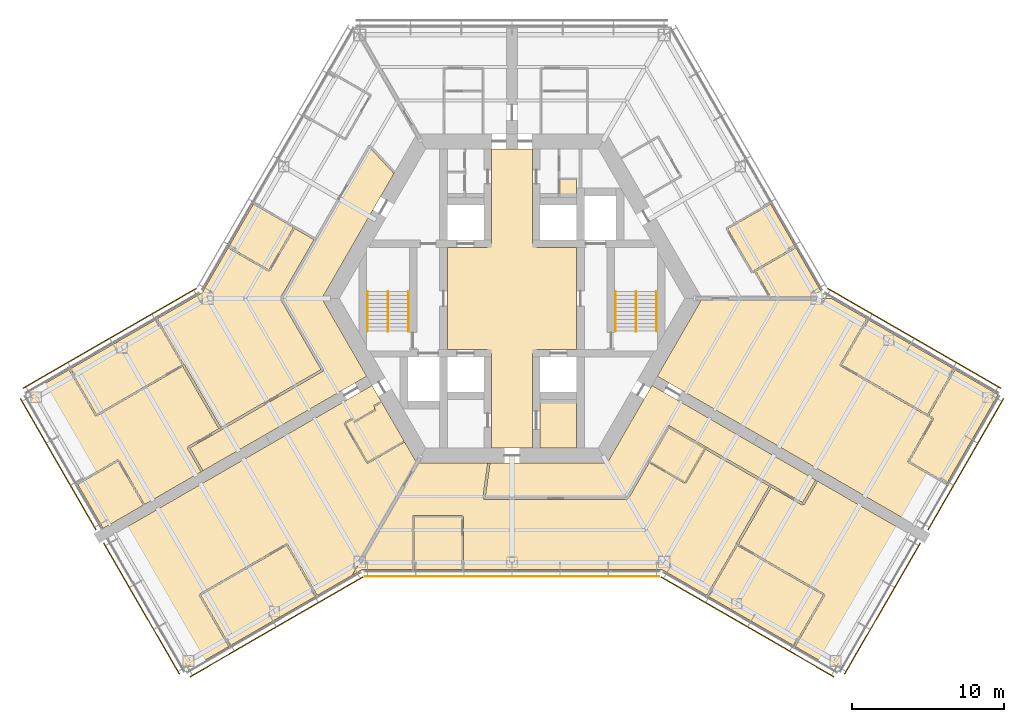
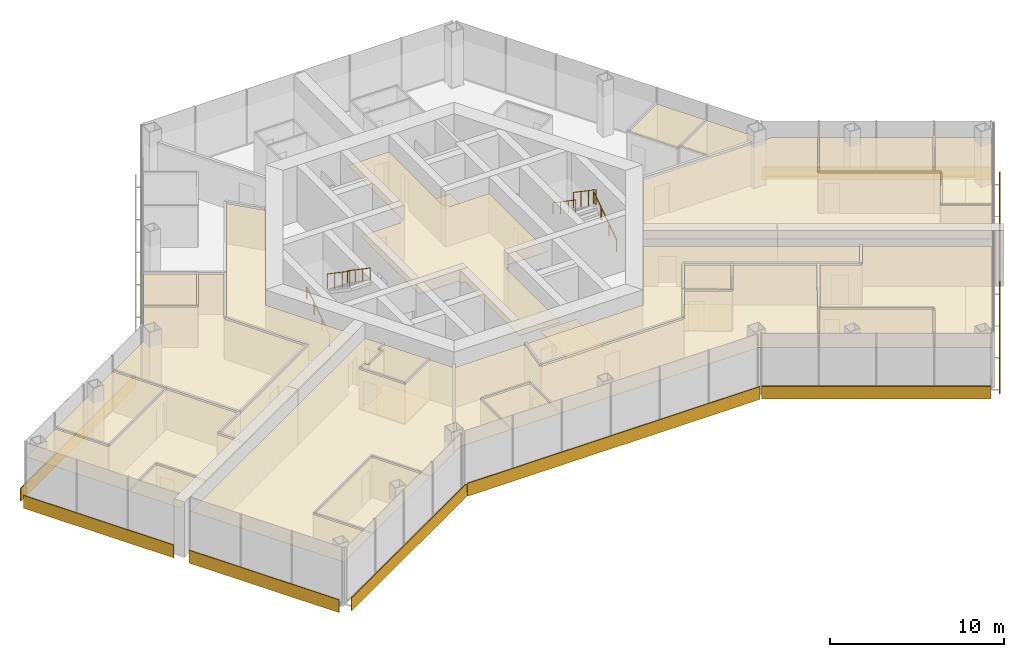
# One storey, part 17 of 18: 25 coverings, 9 shading devices, 6 railings.
"""IFC4 building model written with IfcOpenShell, lengths in metres."""

from ifc_helpers import new_model, si_unit, direction, frame, origin, origin_2d, place, context, subcontext, project, spatial, polyline, rectangle, circle, outline, extrude, material, layer, layer_set, type_object, element, save


model = new_model("IFC4")

# Units and contexts
model_context = context("Model", 3, precision=1e-05, world=origin(), true_north=direction((0.0, 1.0)))
body_context = subcontext(model_context, "Body", "Model", "MODEL_VIEW")
ifc_project = project(units=[si_unit("LENGTHUNIT", "METRE"), si_unit("AREAUNIT", "SQUARE_METRE"), si_unit("VOLUMEUNIT", "CUBIC_METRE"), si_unit("PLANEANGLEUNIT", "RADIAN"), si_unit("MASSUNIT", "GRAM", prefix="KILO")], contexts=[model_context])

# Site, building, storey
site_placement = place(None, origin())
site = spatial("IfcSite", under=ifc_project, at=site_placement, CompositionType="ELEMENT")
building_placement = place(site_placement, origin())
building = spatial("IfcBuilding", under=site, at=building_placement, Name="Kasaneha Research Tower", CompositionType="ELEMENT")
storey_placement = place(building_placement, frame((0.0, 0.0, 137.0)))
storey = spatial("IfcBuildingStorey", under=building, at=storey_placement, Name="L34", CompositionType="ELEMENT", Elevation=137.0)

# Covering
ifc_material_1 = material(Name="Aluminium panel ceiling", Category="aluminium")
ifc_layer_1 = layer(ifc_material_1, 0.0400390625)
ifc_layer_set_1 = layer_set([ifc_layer_1], Name="Lift lobby ceiling 40")
covering_type_1 = type_object("IfcCoveringType", Name="Lift lobby ceiling 40", PredefinedType="CEILING", material=ifc_layer_set_1)
covering_1_placement = place(storey_placement, frame((0.0, 0.0, 2.699951171875)))
element("IfcCovering", 1, at=covering_1_placement, inside=storey, type_object=covering_type_1, Name="Ceiling L34-01", PredefinedType="CEILING", context=body_context, shape_type="SweptSolid", body=[
    extrude(outline(polyline([(1.35009765625, 9.824951171875), (1.35009765625, 3.60009765625), (1.60009765625, 3.60009765625), (1.60009765625, 3.35009765625), (4.25, 3.35009765625), (4.25, -3.35009765625), (1.60009765625, -3.35009765625), (1.60009765625, -3.60009765625), (1.35009765625, -3.60009765625), (1.35009765625, -9.824951171875), (-1.35009765625, -9.824951171875), (-1.35009765625, -3.60009765625), (-1.60009765625, -3.60009765625), (-1.60009765625, -3.35009765625), (-4.25, -3.35009765625), (-4.25, 3.35009765625), (-1.60009765625, 3.35009765625), (-1.60009765625, 3.60009765625), (-1.35009765625, 3.60009765625), (-1.35009765625, 9.824951171875), (1.35009765625, 9.824951171875)])), origin(), (0.0, 0.0, 1.0), 0.0400390625),
])

# Railings
ifc_material_2 = material(Name="Steel", Category="steel")
railing_type_1 = type_object("IfcRailingType", Name="Stair balustrade 1100", PredefinedType="GUARDRAIL", material=ifc_material_2)
for number, where, name in (
    (2, (8.14990234375, 0.449951171875, 2.127197265625), "Stair 1 balustrade L34"),
    (3, (-8.14990234375, 0.449951171875, 2.127197265625), "Stair 2 balustrade L34"),
):
    element("IfcRailing", number, at=place(storey_placement, frame(where)), inside=storey, type_object=railing_type_1, Name=name, PredefinedType="GUARDRAIL", context=body_context, shape_type="SweptSolid", body=[
        extrude(circle(Radius=0.02392578125, at=origin_2d()), frame((0.0, 0.0, 1.076171875), z_axis=(0.0, -0.826215852431, 0.563353676824), x_axis=(1.0, 0.0, 0.0)), (0.0, 0.0, 1.0), 3.146728515625),
        extrude(circle(Radius=0.02099609375, at=origin_2d()), origin(), (0.0, 0.0, 1.0), 1.052001953125),
        extrude(circle(Radius=0.02099609375, at=origin_2d()), frame((0.0, -0.86669921875, 0.5908203125)), (0.0, 0.0, 1.0), 1.052001953125),
        extrude(circle(Radius=0.02099609375, at=origin_2d()), frame((0.0, -1.733154296875, 1.181884765625)), (0.0, 0.0, 1.0), 1.052001953125),
        extrude(circle(Radius=0.02099609375, at=origin_2d()), frame((0.0, -2.599853515625, 1.772705078125)), (0.0, 0.0, 1.0), 1.052001953125),
    ])
ifc_material_3 = material(Name="Steel", Category="steel")
railing_type_2 = type_object("IfcRailingType", Name="Stair handrail 850", PredefinedType="HANDRAIL", material=ifc_material_3)
railing_1_placement = place(storey_placement, frame((9.5, -2.14990234375, 0.17724609375)))
element("IfcRailing", 4, at=railing_1_placement, inside=storey, type_object=railing_type_2, Name="Stair 1 handrail L34", PredefinedType="HANDRAIL", context=body_context, shape_type="SweptSolid", body=[
    extrude(circle(Radius=0.02392578125, at=origin_2d()), frame((0.0, 0.0, 0.826171875), z_axis=(0.0, 0.826215852431, 0.563353676824), x_axis=(-1.0, 0.0, 0.0)), (0.0, 0.0, 1.0), 3.146728515625),
    extrude(circle(Radius=0.02099609375, at=origin_2d()), origin(), (0.0, 0.0, 1.0), 0.802001953125),
    extrude(circle(Radius=0.02099609375, at=origin_2d()), frame((0.0, 0.86669921875, 0.5908203125)), (0.0, 0.0, 1.0), 0.802001953125),
    extrude(circle(Radius=0.02099609375, at=origin_2d()), frame((0.0, 1.733154296875, 1.181884765625)), (0.0, 0.0, 1.0), 0.802001953125),
    extrude(circle(Radius=0.02099609375, at=origin_2d()), frame((0.0, 2.599853515625, 1.772705078125)), (0.0, 0.0, 1.0), 0.802001953125),
])
railing_2_placement = place(storey_placement, frame((6.800048828125, 0.449951171875, 2.127197265625)))
element("IfcRailing", 5, at=railing_2_placement, inside=storey, type_object=railing_type_2, Name="Stair 1 handrail L34", PredefinedType="HANDRAIL", context=body_context, shape_type="SweptSolid", body=[
    extrude(circle(Radius=0.02392578125, at=origin_2d()), frame((0.0, 0.0, 0.826171875), z_axis=(0.0, -0.826215852431, 0.563353676824), x_axis=(1.0, 0.0, 0.0)), (0.0, 0.0, 1.0), 3.146728515625),
    extrude(circle(Radius=0.02099609375, at=origin_2d()), origin(), (0.0, 0.0, 1.0), 0.802001953125),
    extrude(circle(Radius=0.02099609375, at=origin_2d()), frame((0.0, -0.86669921875, 0.5908203125)), (0.0, 0.0, 1.0), 0.802001953125),
    extrude(circle(Radius=0.02099609375, at=origin_2d()), frame((0.0, -1.733154296875, 1.181884765625)), (0.0, 0.0, 1.0), 0.802001953125),
    extrude(circle(Radius=0.02099609375, at=origin_2d()), frame((0.0, -2.599853515625, 1.772705078125)), (0.0, 0.0, 1.0), 0.802001953125),
])
railing_3_placement = place(storey_placement, frame((-9.5, -2.14990234375, 0.17724609375)))
element("IfcRailing", 6, at=railing_3_placement, inside=storey, type_object=railing_type_2, Name="Stair 2 handrail L34", PredefinedType="HANDRAIL", context=body_context, shape_type="SweptSolid", body=[
    extrude(circle(Radius=0.02392578125, at=origin_2d()), frame((0.0, 0.0, 0.826171875), z_axis=(0.0, 0.826215852431, 0.563353676824), x_axis=(-1.0, 0.0, 0.0)), (0.0, 0.0, 1.0), 3.146728515625),
    extrude(circle(Radius=0.02099609375, at=origin_2d()), origin(), (0.0, 0.0, 1.0), 0.802001953125),
    extrude(circle(Radius=0.02099609375, at=origin_2d()), frame((0.0, 0.86669921875, 0.5908203125)), (0.0, 0.0, 1.0), 0.802001953125),
    extrude(circle(Radius=0.02099609375, at=origin_2d()), frame((0.0, 1.733154296875, 1.181884765625)), (0.0, 0.0, 1.0), 0.802001953125),
    extrude(circle(Radius=0.02099609375, at=origin_2d()), frame((0.0, 2.599853515625, 1.772705078125)), (0.0, 0.0, 1.0), 0.802001953125),
])
railing_4_placement = place(storey_placement, frame((-6.800048828125, 0.449951171875, 2.127197265625)))
element("IfcRailing", 7, at=railing_4_placement, inside=storey, type_object=railing_type_2, Name="Stair 2 handrail L34", PredefinedType="HANDRAIL", context=body_context, shape_type="SweptSolid", body=[
    extrude(circle(Radius=0.02392578125, at=origin_2d()), frame((0.0, 0.0, 0.826171875), z_axis=(0.0, -0.826215852431, 0.563353676824), x_axis=(1.0, 0.0, 0.0)), (0.0, 0.0, 1.0), 3.146728515625),
    extrude(circle(Radius=0.02099609375, at=origin_2d()), origin(), (0.0, 0.0, 1.0), 0.802001953125),
    extrude(circle(Radius=0.02099609375, at=origin_2d()), frame((0.0, -0.86669921875, 0.5908203125)), (0.0, 0.0, 1.0), 0.802001953125),
    extrude(circle(Radius=0.02099609375, at=origin_2d()), frame((0.0, -1.733154296875, 1.181884765625)), (0.0, 0.0, 1.0), 0.802001953125),
    extrude(circle(Radius=0.02099609375, at=origin_2d()), frame((0.0, -2.599853515625, 1.772705078125)), (0.0, 0.0, 1.0), 0.802001953125),
])

# Coverings
ifc_material_4 = material(Name="Gypsum ceiling board", Category="gypsum")
ifc_layer_2 = layer(ifc_material_4, 0.02001953125)
ifc_layer_set_2 = layer_set([ifc_layer_2], Name="Suspended ceiling 20")
covering_type_2 = type_object("IfcCoveringType", Name="Suspended ceiling 20", PredefinedType="CEILING", material=ifc_layer_set_2)
covering_2_placement = place(storey_placement, frame((0.0, 0.0, 2.800048828125)))
element("IfcCovering", 8, at=covering_2_placement, inside=storey, type_object=covering_type_2, Name="Ceiling L34-29", PredefinedType="CEILING", context=body_context, shape_type="SweptSolid", body=[
    extrude(outline(polyline([(18.63720703125, 3.360595703125), (18.619873046875, 3.3505859375), (18.5947265625, 3.393798828125), (15.923095703125, 1.851318359375), (15.947998046875, 1.80810546875), (15.9306640625, 1.7978515625), (15.9130859375, 1.787841796875), (15.9130859375, 1.787841796875), (15.822509765625, 1.735595703125), (14.18212890625, 4.576904296875), (16.99658203125, 6.201904296875), (18.63720703125, 3.360595703125)])), origin(), (0.0, 0.0, 1.0), 0.02001953125),
])
covering_3_placement = place(storey_placement, frame((0.0, 0.0, 2.800048828125)))
element("IfcCovering", 9, at=covering_3_placement, inside=storey, type_object=covering_type_2, Name="Ceiling L34-30", PredefinedType="CEILING", context=body_context, shape_type="SweptSolid", body=[
    extrude(outline(polyline([(16.997802734375, 0.0), (16.986328125, 0.02001953125), (17.029541015625, 0.044921875), (16.024658203125, 1.79443359375), (18.644775390625, 3.30712890625), (18.619873046875, 3.3505859375), (18.63720703125, 3.360595703125), (20.28759765625, 0.501708984375), (19.41845703125, 0.0), (16.997802734375, 0.0)])), origin(), (0.0, 0.0, 1.0), 0.02001953125),
])
covering_4_placement = place(storey_placement, frame((0.0, 0.0, 2.800048828125)))
element("IfcCovering", 10, at=covering_4_placement, inside=storey, type_object=covering_type_2, Name="Ceiling L34-35", PredefinedType="CEILING", context=body_context, shape_type="SweptSolid", body=[
    extrude(outline(polyline([(-9.5498046875, -5.109375), (-10.3291015625, -5.559326171875), (-10.3291015625, -5.559326171875), (-20.37109375, -11.357177734375), (-20.381103515625, -11.33984375), (-20.316162109375, -11.30224609375), (-21.168701171875, -9.82568359375), (-19.134033203125, -8.651123046875), (-19.134033203125, -8.651123046875), (-12.404052734375, -4.765380859375), (-12.441650390625, -4.700439453125), (-12.376708984375, -4.6630859375), (-15.06884765625, 0.0), (-12.8427734375, 3.855712890625), (-12.8427734375, 3.855712890625), (-9.345947265625, 9.912353515625), (-7.7890625, 8.24267578125), (-7.734130859375, 8.2939453125), (-7.719970703125, 8.278564453125), (-12.49951171875, 0.0), (-9.5498046875, -5.109375)])), origin(), (0.0, 0.0, 1.0), 0.02001953125),
])
covering_5_placement = place(storey_placement, frame((0.0, 0.0, 2.800048828125)))
element("IfcCovering", 11, at=covering_5_placement, inside=storey, type_object=covering_type_2, Name="Ceiling L34-36", PredefinedType="CEILING", context=body_context, shape_type="SweptSolid", body=[
    extrude(outline(polyline([(-23.34228515625, -1.352294921875), (-23.332275390625, -1.36962890625), (-23.37548828125, -1.39453125), (-21.666748046875, -4.363525390625), (-27.306640625, -7.624755859375), (-29.03173828125, -4.636962890625), (-23.34228515625, -1.352294921875)])), origin(), (0.0, 0.0, 1.0), 0.02001953125),
])
covering_6_placement = place(storey_placement, frame((0.0, 0.0, 2.800048828125)))
element("IfcCovering", 12, at=covering_6_placement, inside=storey, type_object=covering_type_2, Name="Ceiling L34-38", PredefinedType="CEILING", context=body_context, shape_type="SweptSolid", body=[
    extrude(outline(polyline([(-16.99658203125, 6.201904296875), (-14.361572265625, 4.675048828125), (-15.970947265625, 1.87890625), (-18.5947265625, 3.393798828125), (-18.619873046875, 3.3505859375), (-18.63720703125, 3.360595703125), (-16.99658203125, 6.201904296875)])), origin(), (0.0, 0.0, 1.0), 0.02001953125),
])
covering_7_placement = place(storey_placement, frame((0.0, 0.0, 2.800048828125)))
element("IfcCovering", 13, at=covering_7_placement, inside=storey, type_object=covering_type_2, Name="Ceiling L34-39", PredefinedType="CEILING", context=body_context, shape_type="SweptSolid", body=[
    extrude(outline(polyline([(-28.532958984375, -12.220458984375), (-25.8916015625, -10.6953125), (-24.235107421875, -13.564697265625), (-24.191650390625, -13.539794921875), (-24.181640625, -13.55712890625), (-26.866455078125, -15.107177734375), (-28.532958984375, -12.220458984375)])), origin(), (0.0, 0.0, 1.0), 0.02001953125),
])
covering_8_placement = place(storey_placement, frame((0.0, 0.0, 2.800048828125)))
element("IfcCovering", 14, at=covering_8_placement, inside=storey, type_object=covering_type_2, Name="Ceiling L34-40", PredefinedType="CEILING", context=body_context, shape_type="SweptSolid", body=[
    extrude(outline(polyline([(-15.15576171875, -0.000244140625), (-15.220458984375, -0.03759765625), (-12.5439453125, -4.673095703125), (-19.135498046875, -8.478759765625), (-21.529296875, -4.341796875), (-21.55517578125, -4.356689453125), (-23.288818359375, -1.3447265625), (-23.331787109375, -1.369384765625), (-23.341796875, -1.35205078125), (-20.365966796875, 0.365966796875), (-18.637451171875, 3.360107421875), (-18.6201171875, 3.35009765625), (-18.644775390625, 3.30712890625), (-15.9775390625, 1.76708984375), (-15.95263671875, 1.81005859375), (-15.952392578125, 1.81005859375), (-15.9521484375, 1.810302734375), (-15.9091796875, 1.78564453125), (-14.287353515625, 4.603271484375), (-13.01025390625, 3.86572265625), (-15.220458984375, 0.03759765625), (-15.15576171875, 0.000244140625), (-15.156005859375, 0.0), (-15.15576171875, -0.000244140625)])), origin(), (0.0, 0.0, 1.0), 0.02001953125),
])
covering_9_placement = place(storey_placement, frame((0.0, 0.0, 2.800048828125)))
element("IfcCovering", 15, at=covering_9_placement, inside=storey, type_object=covering_type_2, Name="Ceiling L34-41", PredefinedType="CEILING", context=body_context, shape_type="SweptSolid", body=[
    extrude(outline(polyline([(-21.271484375, -9.79833984375), (-21.336181640625, -9.835693359375), (-20.446044921875, -11.377197265625), (-20.381591796875, -11.340087890625), (-20.37158203125, -11.357421875), (-23.14501953125, -12.958740234375), (-24.18115234375, -13.556884765625), (-24.191162109375, -13.53955078125), (-24.1484375, -13.514892578125), (-25.830078125, -10.60205078125), (-25.873046875, -10.626953125), (-25.873291015625, -10.626708984375), (-25.87353515625, -10.626708984375), (-25.898193359375, -10.583740234375), (-28.5830078125, -12.1337890625), (-31.94140625, -6.31689453125), (-29.1181640625, -4.68701171875), (-27.368408203125, -7.71826171875), (-27.3251953125, -7.693359375), (-27.324951171875, -7.693603515625), (-27.32470703125, -7.693603515625), (-27.300048828125, -7.736572265625), (-21.634033203125, -4.460205078125), (-19.265380859375, -8.5537109375), (-21.30859375, -9.7333984375), (-21.271484375, -9.798095703125), (-21.271728515625, -9.798095703125), (-21.271484375, -9.79833984375)])), origin(), (0.0, 0.0, 1.0), 0.02001953125),
])
covering_10_placement = place(storey_placement, frame((0.0, 0.0, 2.800048828125)))
element("IfcCovering", 16, at=covering_10_placement, inside=storey, type_object=covering_type_2, Name="Ceiling L34-43", PredefinedType="CEILING", context=body_context, shape_type="SweptSolid", body=[
    extrude(outline(polyline([(-18.574951171875, -22.8486328125), (-18.5849609375, -22.831298828125), (-18.541748046875, -22.806396484375), (-20.456787109375, -19.489501953125), (-14.810546875, -16.2294921875), (-12.885498046875, -19.563720703125), (-18.574951171875, -22.8486328125)])), origin(), (0.0, 0.0, 1.0), 0.02001953125),
])
covering_11_placement = place(storey_placement, frame((0.0, 0.0, 2.800048828125)))
element("IfcCovering", 17, at=covering_11_placement, inside=storey, type_object=covering_type_2, Name="Ceiling L34-44", PredefinedType="CEILING", context=body_context, shape_type="SweptSolid", body=[
    extrude(outline(polyline([(-10.35498046875, -8.11474609375), (-10.35498046875, -8.11474609375), (-10.330078125, -8.157958984375), (-8.9443359375, -7.35791015625), (-8.994384765625, -7.271240234375), (-8.994384765625, -7.271240234375), (-9.09423828125, -7.09814453125), (-9.09423828125, -7.09814453125), (-9.0693359375, -7.141357421875), (-8.56689453125, -6.851318359375), (-8.592041015625, -6.80810546875), (-8.57470703125, -6.798095703125), (-7.07470703125, -9.396240234375), (-7.092041015625, -9.40625), (-7.116943359375, -9.36279296875), (-9.481201171875, -10.727783203125), (-10.931396484375, -8.21630859375), (-10.455078125, -7.94140625), (-10.35498046875, -8.11474609375)])), origin(), (0.0, 0.0, 1.0), 0.02001953125),
])
covering_12_placement = place(storey_placement, frame((0.0, 0.0, 2.800048828125)))
element("IfcCovering", 18, at=covering_12_placement, inside=storey, type_object=covering_type_2, Name="Ceiling L34-45", PredefinedType="CEILING", context=body_context, shape_type="SweptSolid", body=[
    extrude(outline(polyline([(-9.979248046875, -6.16552734375), (-9.979248046875, -6.16552734375), (-9.19970703125, -5.715576171875), (-8.574951171875, -6.797607421875), (-8.59228515625, -6.8076171875), (-8.616943359375, -6.764892578125), (-9.119384765625, -7.0546875), (-9.094482421875, -7.09765625), (-9.0947265625, -7.097900390625), (-8.99462890625, -7.271484375), (-10.379638671875, -8.071044921875), (-10.47998046875, -7.897705078125), (-10.480224609375, -7.897705078125), (-10.5048828125, -7.854736328125), (-11.024658203125, -8.15478515625), (-10.999755859375, -8.19775390625), (-11.0, -8.197998046875), (-11.0, -8.1982421875), (-11.04296875, -8.22314453125), (-9.54296875, -10.8212890625), (-9.5, -10.79638671875), (-9.5, -10.796630859375), (-9.49951171875, -10.79638671875), (-9.474609375, -10.839599609375), (-7.06689453125, -9.449462890625), (-7.091796875, -9.40673828125), (-7.074462890625, -9.396728515625), (-6.249755859375, -10.824951171875), (-10.5, -18.1865234375), (-12.798828125, -19.513916015625), (-14.748779296875, -16.13623046875), (-14.792236328125, -16.161376953125), (-14.817138671875, -16.117919921875), (-20.550048828125, -19.427734375), (-20.525146484375, -19.470703125), (-20.525390625, -19.470703125), (-20.525146484375, -19.47119140625), (-20.568359375, -19.49609375), (-18.62841796875, -22.856201171875), (-18.58544921875, -22.83154296875), (-18.575439453125, -22.848876953125), (-21.44140625, -24.50341796875), (-26.516357421875, -15.71337890625), (-10.84521484375, -6.66552734375), (-10.84521484375, -6.66552734375), (-9.979248046875, -6.16552734375)])), origin(), (0.0, 0.0, 1.0), 0.02001953125),
])
covering_13_placement = place(storey_placement, frame((0.0, 0.0, 2.800048828125)))
element("IfcCovering", 19, at=covering_13_placement, inside=storey, type_object=covering_type_2, Name="Ceiling L34-46", PredefinedType="CEILING", context=body_context, shape_type="SweptSolid", body=[
    extrude(outline(polyline([(29.03173828125, -4.63720703125), (27.303955078125, -7.61865234375), (21.660400390625, -4.364990234375), (23.37548828125, -1.39453125), (23.332275390625, -1.36962890625), (23.34228515625, -1.352294921875), (29.03173828125, -4.63720703125)])), origin(), (0.0, 0.0, 1.0), 0.02001953125),
])
covering_14_placement = place(storey_placement, frame((0.0, 0.0, 2.800048828125)))
element("IfcCovering", 20, at=covering_14_placement, inside=storey, type_object=covering_type_2, Name="Ceiling L34-47", PredefinedType="CEILING", context=body_context, shape_type="SweptSolid", body=[
    extrude(outline(polyline([(31.941650390625, -6.316650390625), (28.5830078125, -12.1337890625), (26.11474609375, -10.708740234375), (27.721923828125, -7.92333984375), (27.678466796875, -7.8984375), (27.7041015625, -7.85546875), (27.390380859375, -7.669189453125), (29.118408203125, -4.68701171875), (31.941650390625, -6.316650390625)])), origin(), (0.0, 0.0, 1.0), 0.02001953125),
])
covering_15_placement = place(storey_placement, frame((0.0, 0.0, 2.800048828125)))
element("IfcCovering", 21, at=covering_15_placement, inside=storey, type_object=covering_type_2, Name="Ceiling L34-48", PredefinedType="CEILING", context=body_context, shape_type="SweptSolid", body=[
    extrude(outline(polyline([(9.5498046875, -5.109375), (12.49951171875, 0.0), (16.93994140625, 0.0), (16.94287109375, -0.0048828125), (16.951416015625, 0.0), (21.0, 0.0), (23.341796875, -1.35205078125), (23.331787109375, -1.369384765625), (23.288818359375, -1.344482421875), (21.548828125, -4.3583984375), (21.592041015625, -4.38330078125), (21.591796875, -4.383544921875), (21.592041015625, -4.3837890625), (21.567138671875, -4.4267578125), (27.302001953125, -7.73291015625), (27.302001953125, -7.73291015625), (27.610595703125, -7.916259765625), (26.003173828125, -10.7021484375), (26.046142578125, -10.726806640625), (26.046142578125, -10.72705078125), (26.04638671875, -10.727294921875), (26.021484375, -10.7705078125), (28.532958984375, -12.220458984375), (26.866455078125, -15.107177734375), (14.286376953125, -7.843994140625), (10.3291015625, -5.559326171875), (10.3291015625, -5.559326171875), (9.5498046875, -5.109375)])), origin(), (0.0, 0.0, 1.0), 0.02001953125),
])
covering_16_placement = place(storey_placement, frame((0.0, 0.0, 2.800048828125)))
element("IfcCovering", 22, at=covering_16_placement, inside=storey, type_object=covering_type_2, Name="Ceiling L34-49", PredefinedType="CEILING", context=body_context, shape_type="SweptSolid", body=[
    extrude(outline(polyline([(10.29150390625, -8.424560546875), (10.2265625, -8.386962890625), (8.90380859375, -10.677978515625), (8.90380859375, -10.677978515625), (7.534423828125, -13.050048828125), (-1.75830078125, -13.050048828125), (-1.449951171875, -10.85546875), (-1.524169921875, -10.844970703125), (-1.521240234375, -10.824951171875), (6.249755859375, -10.824951171875), (9.19970703125, -5.715576171875), (9.979248046875, -6.16552734375), (9.979248046875, -6.16552734375), (10.84521484375, -6.66552734375), (10.84521484375, -6.66552734375), (20.021240234375, -11.96337890625), (20.01123046875, -11.980712890625), (19.9462890625, -11.943115234375), (19.09375, -13.419677734375), (17.05029296875, -12.239990234375), (17.05029296875, -12.239990234375), (12.75, -9.75732421875), (12.75, -9.75732421875), (10.3291015625, -8.359619140625), (10.29150390625, -8.424560546875), (10.29150390625, -8.424560546875), (10.29150390625, -8.424560546875)])), origin(), (0.0, 0.0, 1.0), 0.02001953125),
])
covering_17_placement = place(storey_placement, frame((0.0, 0.0, 2.800048828125)))
element("IfcCovering", 23, at=covering_17_placement, inside=storey, type_object=covering_type_2, Name="Ceiling L34-50", PredefinedType="CEILING", context=body_context, shape_type="SweptSolid", body=[
    extrude(outline(polyline([(10.319091796875, -8.52685546875), (12.6318359375, -9.8623046875), (11.373291015625, -12.051025390625), (9.058837890625, -10.7099609375), (10.319091796875, -8.52685546875)])), origin(), (0.0, 0.0, 1.0), 0.02001953125),
])
covering_18_placement = place(storey_placement, frame((0.0, 0.0, 2.800048828125)))
element("IfcCovering", 24, at=covering_18_placement, inside=storey, type_object=covering_type_2, Name="Ceiling L34-51", PredefinedType="CEILING", context=body_context, shape_type="SweptSolid", body=[
    extrude(outline(polyline([(-6.492919921875, -17.820556640625), (-6.492919921875, -17.800537109375), (-6.44287109375, -17.800537109375), (-6.44287109375, -14.37060546875), (-3.29638671875, -14.37060546875), (-3.29638671875, -17.800537109375), (-3.246337890625, -17.800537109375), (-3.246337890625, -17.820556640625), (-6.492919921875, -17.820556640625)])), origin(), (0.0, 0.0, 1.0), 0.02001953125),
])
covering_19_placement = place(storey_placement, frame((0.0, 0.0, 2.800048828125)))
element("IfcCovering", 25, at=covering_19_placement, inside=storey, type_object=covering_type_2, Name="Ceiling L34-52", PredefinedType="CEILING", context=body_context, shape_type="SweptSolid", body=[
    extrude(outline(polyline([(12.885498046875, -19.563720703125), (14.812255859375, -16.23583984375), (20.456787109375, -19.489501953125), (18.541748046875, -22.806396484375), (18.5849609375, -22.831298828125), (18.574951171875, -22.8486328125), (12.885498046875, -19.563720703125)])), origin(), (0.0, 0.0, 1.0), 0.02001953125),
])
covering_20_placement = place(storey_placement, frame((0.0, 0.0, 2.800048828125)))
element("IfcCovering", 26, at=covering_20_placement, inside=storey, type_object=covering_type_2, Name="Ceiling L34-53", PredefinedType="CEILING", context=body_context, shape_type="SweptSolid", body=[
    extrude(outline(polyline([(-3.246337890625, -14.320068359375), (-3.246337890625, -14.2705078125), (-6.492919921875, -14.2705078125), (-6.492919921875, -14.320068359375), (-6.492919921875, -14.320068359375), (-6.492919921875, -14.320556640625), (-6.542724609375, -14.320556640625), (-6.542724609375, -17.800537109375), (-6.493408203125, -17.800537109375), (-6.493408203125, -17.820556640625), (-9.865966796875, -17.820556640625), (-10.5, -18.1865234375), (-6.249755859375, -10.824951171875), (-1.52197265625, -10.824951171875), (-1.524658203125, -10.844970703125), (-1.598388671875, -10.83447265625), (-1.9189453125, -13.114501953125), (-1.8447265625, -13.125), (-1.8447265625, -13.12548828125), (-1.844482421875, -13.12548828125), (-1.844482421875, -13.199951171875), (7.57763671875, -13.199951171875), (7.57763671875, -13.12548828125), (7.577880859375, -13.12548828125), (7.577880859375, -13.125244140625), (7.642578125, -13.16259765625), (9.0087890625, -10.79638671875), (11.366455078125, -12.16259765625), (11.391357421875, -12.11962890625), (11.3916015625, -12.119873046875), (11.391845703125, -12.11962890625), (11.434814453125, -12.144287109375), (12.718505859375, -9.912109375), (16.910400390625, -12.33251953125), (14.724609375, -16.127685546875), (14.750732421875, -16.142578125), (12.798828125, -19.513916015625), (9.865966796875, -17.820556640625), (-3.245849609375, -17.820556640625), (-3.245849609375, -17.800537109375), (-3.1962890625, -17.800537109375), (-3.1962890625, -14.320556640625), (-3.24609375, -14.320556640625), (-3.24609375, -14.320068359375), (-3.246337890625, -14.320068359375)])), origin(), (0.0, 0.0, 1.0), 0.02001953125),
])
covering_21_placement = place(storey_placement, frame((0.0, 0.0, 2.800048828125)))
element("IfcCovering", 27, at=covering_21_placement, inside=storey, type_object=covering_type_2, Name="Ceiling L34-54", PredefinedType="CEILING", context=body_context, shape_type="SweptSolid", body=[
    extrude(outline(polyline([(19.121337890625, -13.522216796875), (19.18603515625, -13.559814453125), (20.076171875, -12.018310546875), (20.011474609375, -11.98095703125), (20.021484375, -11.963623046875), (26.516357421875, -15.71337890625), (21.44140625, -24.50341796875), (18.575439453125, -22.848876953125), (18.58544921875, -22.83154296875), (18.62841796875, -22.856201171875), (20.568359375, -19.49609375), (20.525146484375, -19.47119140625), (20.525390625, -19.470703125), (20.525146484375, -19.470703125), (20.550048828125, -19.427734375), (14.879638671875, -16.1591796875), (17.040283203125, -12.407470703125), (19.083740234375, -13.587158203125), (19.12109375, -13.522705078125), (19.12109375, -13.522705078125), (19.121337890625, -13.522216796875)])), origin(), (0.0, 0.0, 1.0), 0.02001953125),
])

# Shading devices
ifc_material_5 = material(Name="Terracotta", Category="masonry")
ifc_layer_3 = layer(ifc_material_5, 0.06005859375)
ifc_layer_set_3 = layer_set([ifc_layer_3], Name="Terracotta baguette screen")
shading_device_type = type_object("IfcShadingDeviceType", Name="Terracotta baguette screen", PredefinedType="USERDEFINED", material=ifc_layer_set_3)
shading_device_1_placement = place(storey_placement, frame((0.0, -18.2705078125, -0.449951171875), z_axis=(0.0, 0.0, 1.0), x_axis=(1.0, 0.0, 0.0)))
element("IfcShadingDevice", 28, at=shading_device_1_placement, inside=storey, type_object=shading_device_type, Name="Baguette screen L34 01", ObjectType="TERRACOTTA BAGUETTE SCREEN", PredefinedType="USERDEFINED", context=body_context, shape_type="SweptSolid", body=[
    extrude(rectangle(XDim=19.37841796875, YDim=0.06005859375, at=origin_2d()), origin(), (0.0, 0.0, 1.0), 0.89990234375),
])
shading_device_2_placement = place(storey_placement, frame((15.483642578125, -21.58349609375, -0.449951171875), z_axis=(0.0, 0.0, 1.0), x_axis=(0.866025411464, -0.499999986699, 0.0)))
element("IfcShadingDevice", 29, at=shading_device_2_placement, inside=storey, type_object=shading_device_type, Name="Baguette screen L34 02", ObjectType="TERRACOTTA BAGUETTE SCREEN", PredefinedType="USERDEFINED", context=body_context, shape_type="SweptSolid", body=[
    extrude(rectangle(XDim=13.13916015625, YDim=0.06005859375, at=origin_2d()), origin(), (0.0, 0.0, 1.0), 0.89990234375),
])
for number, where, z_axis, x_axis, name in (
    (30, (24.343505859375, -20.376708984375, -0.449951171875), (0.0, 0.0, 1.0), (0.500000011442, 0.866025397178, 0.0), "Baguette screen L34 03"),
    (31, (29.818603515625, -10.893798828125, -0.449951171875), (0.0, 0.0, 1.0), (0.500000011442, 0.866025397178, 0.0), "Baguette screen L34 04"),
):
    element("IfcShadingDevice", number, at=place(storey_placement, frame(where, z_axis=z_axis, x_axis=x_axis)), inside=storey, type_object=shading_device_type, Name=name, ObjectType="TERRACOTTA BAGUETTE SCREEN", PredefinedType="USERDEFINED", context=body_context, shape_type="SweptSolid", body=[
        extrude(rectangle(XDim=9.949951171875, YDim=0.06005859375, at=origin_2d()), origin(), (0.0, 0.0, 1.0), 0.89990234375),
    ])
for number, where, z_axis, x_axis, name in (
    (32, (26.43359375, -2.617431640625, -0.449951171875), (0.0, 0.0, 1.0), (-0.866025411464, 0.499999986699, 0.0), "Baguette screen L34 05"),
    (33, (-26.43359375, -2.617431640625, -0.449951171875), (0.0, 0.0, 1.0), (-0.866025411464, -0.499999986699, 0.0), "Baguette screen L34 09"),
):
    element("IfcShadingDevice", number, at=place(storey_placement, frame(where, z_axis=z_axis, x_axis=x_axis)), inside=storey, type_object=shading_device_type, Name=name, ObjectType="TERRACOTTA BAGUETTE SCREEN", PredefinedType="USERDEFINED", context=body_context, shape_type="SweptSolid", body=[
        extrude(rectangle(XDim=13.13916015625, YDim=0.06005859375, at=origin_2d()), origin(), (0.0, 0.0, 1.0), 0.89990234375),
    ])
for number, where, z_axis, x_axis, name in (
    (34, (-29.818603515625, -10.893798828125, -0.449951171875), (0.0, 0.0, 1.0), (0.500000011442, -0.866025397178, 0.0), "Baguette screen L34 10"),
    (35, (-24.343505859375, -20.376708984375, -0.449951171875), (0.0, 0.0, 1.0), (0.500000011442, -0.866025397178, 0.0), "Baguette screen L34 11"),
):
    element("IfcShadingDevice", number, at=place(storey_placement, frame(where, z_axis=z_axis, x_axis=x_axis)), inside=storey, type_object=shading_device_type, Name=name, ObjectType="TERRACOTTA BAGUETTE SCREEN", PredefinedType="USERDEFINED", context=body_context, shape_type="SweptSolid", body=[
        extrude(rectangle(XDim=9.949951171875, YDim=0.06005859375, at=origin_2d()), origin(), (0.0, 0.0, 1.0), 0.89990234375),
    ])
shading_device_3_placement = place(storey_placement, frame((-15.483642578125, -21.58349609375, -0.449951171875), z_axis=(0.0, 0.0, 1.0), x_axis=(0.866025411464, 0.499999986699, 0.0)))
element("IfcShadingDevice", 36, at=shading_device_3_placement, inside=storey, type_object=shading_device_type, Name="Baguette screen L34 12", ObjectType="TERRACOTTA BAGUETTE SCREEN", PredefinedType="USERDEFINED", context=body_context, shape_type="SweptSolid", body=[
    extrude(rectangle(XDim=13.13916015625, YDim=0.06005859375, at=origin_2d()), origin(), (0.0, 0.0, 1.0), 0.89990234375),
])

# Coverings
ifc_material_6 = material(Name="Vinyl sheet flooring", Category="plastic")
ifc_layer_4 = layer(ifc_material_6, 0.0048828125)
ifc_layer_set_4 = layer_set([ifc_layer_4], Name="Wet room sheet flooring 5")
covering_type_3 = type_object("IfcCoveringType", Name="Wet room sheet flooring 5", PredefinedType="FLOORING", material=ifc_layer_set_4)
covering_22_placement = place(storey_placement, origin())
element("IfcCovering", 37, at=covering_22_placement, inside=storey, type_object=covering_type_3, Name="Floor finish L34-10", PredefinedType="FLOORING", context=body_context, shape_type="SweptSolid", body=[
    extrude(outline(polyline([(3.14990234375, 6.64990234375), (3.14990234375, 7.81591796875), (4.25, 7.81591796875), (4.25, 7.0), (4.25, 6.64990234375), (3.14990234375, 6.64990234375)])), origin(), (0.0, 0.0, 1.0), 0.0048828125),
])
covering_23_placement = place(storey_placement, origin())
element("IfcCovering", 38, at=covering_23_placement, inside=storey, type_object=covering_type_3, Name="Floor finish L34-13", PredefinedType="FLOORING", context=body_context, shape_type="SweptSolid", body=[
    extrude(outline(polyline([(1.85009765625, -9.824951171875), (1.85009765625, -6.64990234375), (4.25, -6.64990234375), (4.25, -9.824951171875), (1.85009765625, -9.824951171875)])), origin(), (0.0, 0.0, 1.0), 0.0048828125),
])
covering_24_placement = place(storey_placement, origin())
element("IfcCovering", 39, at=covering_24_placement, inside=storey, type_object=covering_type_3, Name="Floor finish L34-44", PredefinedType="FLOORING", context=body_context, shape_type="SweptSolid", body=[
    extrude(outline(polyline([(-10.99951171875, -8.1982421875), (-10.47998046875, -7.898193359375), (-10.35498046875, -8.11474609375), (-8.96923828125, -7.314697265625), (-9.09423828125, -7.09814453125), (-8.57470703125, -6.798095703125), (-7.07470703125, -9.396240234375), (-9.49951171875, -10.796142578125), (-10.99951171875, -8.1982421875)])), origin(), (0.0, 0.0, 1.0), 0.0048828125),
])
covering_25_placement = place(storey_placement, origin())
element("IfcCovering", 40, at=covering_25_placement, inside=storey, type_object=covering_type_3, Name="Floor finish L34-50", PredefinedType="FLOORING", context=body_context, shape_type="SweptSolid", body=[
    extrude(outline(polyline([(11.391357421875, -12.119384765625), (8.966552734375, -10.719482421875), (10.29150390625, -8.424560546875), (12.716552734375, -9.824462890625), (11.391357421875, -12.119384765625)])), origin(), (0.0, 0.0, 1.0), 0.0048828125),
])

save(model, "model.ifc")
